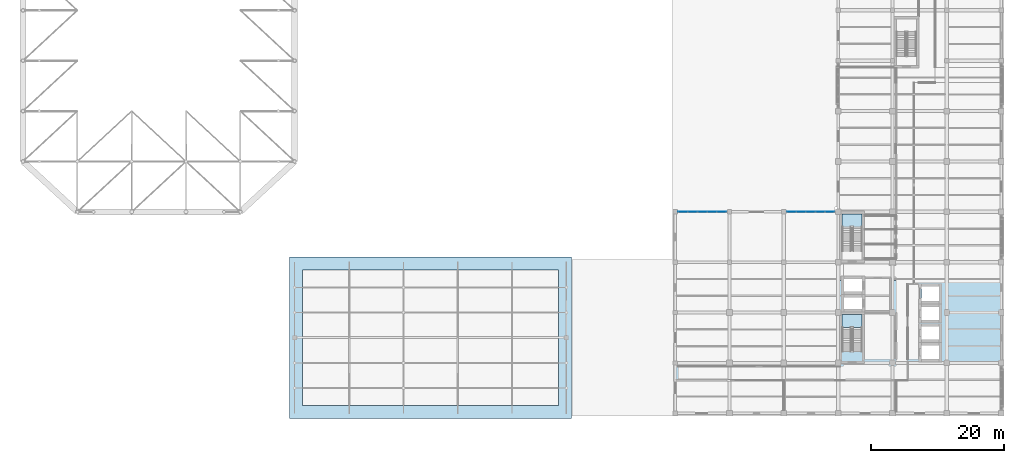
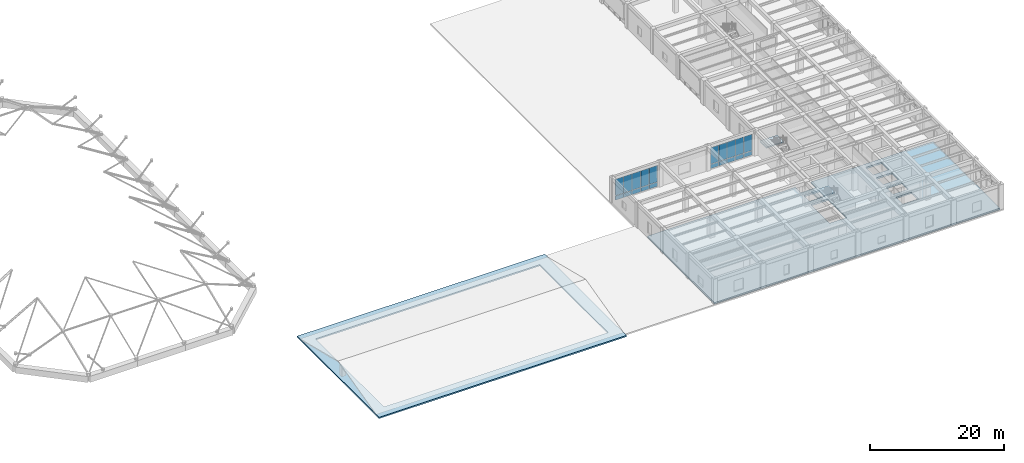
# One storey, part 11 of 23: 20 plates, 4 slabs, 4 elements without a shape of their own.
"""IFC4 building model written with IfcOpenShell, lengths in metres."""

from ifc_helpers import new_model, si_unit, direction, frame, origin, origin_2d, place, context, subcontext, project, spatial, polyline, rectangle, outline, extrude, material, layer, layer_set, type_object, element, aggregate, save


model = new_model("IFC4")

# Units and contexts
model_context = context("Model", 3, precision=1e-05, world=origin(), true_north=direction((0.0, 1.0)))
body_context = subcontext(model_context, "Body", "Model", "MODEL_VIEW")
ifc_project = project(units=[si_unit("LENGTHUNIT", "METRE"), si_unit("AREAUNIT", "SQUARE_METRE"), si_unit("VOLUMEUNIT", "CUBIC_METRE"), si_unit("PLANEANGLEUNIT", "RADIAN"), si_unit("MASSUNIT", "GRAM", prefix="KILO")], contexts=[model_context])

# Site, building, storey
site_placement = place(None, origin())
site = spatial("IfcSite", under=ifc_project, at=site_placement, CompositionType="ELEMENT")
building_placement = place(site_placement, origin())
building = spatial("IfcBuilding", under=site, at=building_placement, Name="Qandaris Square Conservatory and Botanical Centre", CompositionType="ELEMENT")
storey_placement = place(building_placement, frame((0.0, 0.0, 15.0)))
storey = spatial("IfcBuildingStorey", under=building, at=storey_placement, Name="L03", CompositionType="ELEMENT", Elevation=15.0)

# Curtain wall, plates
ifc_material_1 = material(Name="Anodised Aluminium", Category="aluminium")
curtain_wall_type_1 = type_object("IfcCurtainWallType", Name="Unitised Curtain Wall CW-4-725x394", PredefinedType="USERDEFINED", material=ifc_material_1)
curtain_wall_1_placement = place(storey_placement, origin())
curtain_wall_1 = element("IfcCurtainWall", 1, at=curtain_wall_1_placement, inside=storey, type_object=curtain_wall_type_1, Name="Curtain Wall CW-TWR-L03-5-1", ObjectType="GLAZED CURTAIN WALL", PredefinedType="USERDEFINED")
ifc_material_2 = material(Name="Tempered Low-E Glass", Category="glass")
ifc_layer_1 = layer(ifc_material_2, 0.035888671875)
ifc_layer_set_1 = layer_set([ifc_layer_1], Name="Tempered Low-E Glass")
plate_type = type_object("IfcPlateType", Name="Double-Glazed Solar Control Vision Unit 36mm", PredefinedType="CURTAIN_PANEL", material=ifc_layer_set_1)
plate_1_placement = place(storey_placement, frame((137.933837890625, 47.0, 0.06494140625), z_axis=(0.0, 0.0, 1.0), x_axis=(-1.0, 0.0, 0.0)))
plate_1 = element("IfcPlate", 2, at=plate_1_placement, type_object=plate_type, Name="CW-4-725x394 panel 1.1", PredefinedType="CURTAIN_PANEL", context=body_context, shape_type="SweptSolid", body=[
    extrude(rectangle(XDim=1.3525390625, YDim=0.035888671875, at=origin_2d()), origin(), (0.0, 0.0, 1.0), 0.75244140625),
])
plate_2_placement = place(storey_placement, frame((137.933837890625, 47.0, 0.882568359375), z_axis=(0.0, 0.0, 1.0), x_axis=(-1.0, 0.0, 0.0)))
plate_2 = element("IfcPlate", 3, at=plate_2_placement, type_object=plate_type, Name="CW-4-725x394 panel 1.2", PredefinedType="CURTAIN_PANEL", context=body_context, shape_type="SweptSolid", body=[
    extrude(rectangle(XDim=1.3525390625, YDim=0.035888671875, at=origin_2d()), origin(), (0.0, 0.0, 1.0), 2.99755859375),
])
plate_3_placement = place(storey_placement, frame((136.5, 47.0, 0.06494140625), z_axis=(0.0, 0.0, 1.0), x_axis=(-1.0, 0.0, 0.0)))
plate_3 = element("IfcPlate", 4, at=plate_3_placement, type_object=plate_type, Name="CW-4-725x394 panel 2.1", PredefinedType="CURTAIN_PANEL", context=body_context, shape_type="SweptSolid", body=[
    extrude(rectangle(XDim=1.385009765625, YDim=0.035888671875, at=origin_2d()), origin(), (0.0, 0.0, 1.0), 0.75244140625),
])
plate_4_placement = place(storey_placement, frame((136.5, 47.0, 0.882568359375), z_axis=(0.0, 0.0, 1.0), x_axis=(-1.0, 0.0, 0.0)))
plate_4 = element("IfcPlate", 5, at=plate_4_placement, type_object=plate_type, Name="CW-4-725x394 panel 2.2", PredefinedType="CURTAIN_PANEL", context=body_context, shape_type="SweptSolid", body=[
    extrude(rectangle(XDim=1.385009765625, YDim=0.035888671875, at=origin_2d()), origin(), (0.0, 0.0, 1.0), 2.99755859375),
])
plate_5_placement = place(storey_placement, frame((135.050048828125, 47.0, 0.06494140625), z_axis=(0.0, 0.0, 1.0), x_axis=(-1.0, 0.0, 0.0)))
plate_5 = element("IfcPlate", 6, at=plate_5_placement, type_object=plate_type, Name="CW-4-725x394 panel 3.1", PredefinedType="CURTAIN_PANEL", context=body_context, shape_type="SweptSolid", body=[
    extrude(rectangle(XDim=1.385009765625, YDim=0.035888671875, at=origin_2d()), origin(), (0.0, 0.0, 1.0), 0.75244140625),
])
plate_6_placement = place(storey_placement, frame((135.050048828125, 47.0, 0.882568359375), z_axis=(0.0, 0.0, 1.0), x_axis=(-1.0, 0.0, 0.0)))
plate_6 = element("IfcPlate", 7, at=plate_6_placement, type_object=plate_type, Name="CW-4-725x394 panel 3.2", PredefinedType="CURTAIN_PANEL", context=body_context, shape_type="SweptSolid", body=[
    extrude(rectangle(XDim=1.385009765625, YDim=0.035888671875, at=origin_2d()), origin(), (0.0, 0.0, 1.0), 2.99755859375),
])
plate_7_placement = place(storey_placement, frame((133.60009765625, 47.0, 0.06494140625), z_axis=(0.0, 0.0, 1.0), x_axis=(-1.0, 0.0, 0.0)))
plate_7 = element("IfcPlate", 8, at=plate_7_placement, type_object=plate_type, Name="CW-4-725x394 panel 4.1", PredefinedType="CURTAIN_PANEL", context=body_context, shape_type="SweptSolid", body=[
    extrude(rectangle(XDim=1.385009765625, YDim=0.035888671875, at=origin_2d()), origin(), (0.0, 0.0, 1.0), 0.75244140625),
])
plate_8_placement = place(storey_placement, frame((133.60009765625, 47.0, 0.882568359375), z_axis=(0.0, 0.0, 1.0), x_axis=(-1.0, 0.0, 0.0)))
plate_8 = element("IfcPlate", 9, at=plate_8_placement, type_object=plate_type, Name="CW-4-725x394 panel 4.2", PredefinedType="CURTAIN_PANEL", context=body_context, shape_type="SweptSolid", body=[
    extrude(rectangle(XDim=1.385009765625, YDim=0.035888671875, at=origin_2d()), origin(), (0.0, 0.0, 1.0), 2.99755859375),
])
plate_9_placement = place(storey_placement, frame((132.166259765625, 47.0, 0.06494140625), z_axis=(0.0, 0.0, 1.0), x_axis=(-1.0, 0.0, 0.0)))
plate_9 = element("IfcPlate", 10, at=plate_9_placement, type_object=plate_type, Name="CW-4-725x394 panel 5.1", PredefinedType="CURTAIN_PANEL", context=body_context, shape_type="SweptSolid", body=[
    extrude(rectangle(XDim=1.3525390625, YDim=0.035888671875, at=origin_2d()), origin(), (0.0, 0.0, 1.0), 0.75244140625),
])
plate_10_placement = place(storey_placement, frame((132.166259765625, 47.0, 0.882568359375), z_axis=(0.0, 0.0, 1.0), x_axis=(-1.0, 0.0, 0.0)))
plate_10 = element("IfcPlate", 11, at=plate_10_placement, type_object=plate_type, Name="CW-4-725x394 panel 5.2", PredefinedType="CURTAIN_PANEL", context=body_context, shape_type="SweptSolid", body=[
    extrude(rectangle(XDim=1.3525390625, YDim=0.035888671875, at=origin_2d()), origin(), (0.0, 0.0, 1.0), 2.99755859375),
])
aggregate(curtain_wall_1, [plate_1, plate_2, plate_3, plate_4, plate_5, plate_6, plate_7, plate_8, plate_9, plate_10])

curtain_wall_type_2 = type_object("IfcCurtainWallType", Name="Unitised Curtain Wall CW-4-735x394", PredefinedType="USERDEFINED", material=ifc_material_1)
curtain_wall_2_placement = place(storey_placement, origin())
curtain_wall_2 = element("IfcCurtainWall", 12, at=curtain_wall_2_placement, inside=storey, type_object=curtain_wall_type_2, Name="Curtain Wall CW-TWR-L03-5-3", ObjectType="GLAZED CURTAIN WALL", PredefinedType="USERDEFINED")
plate_11_placement = place(storey_placement, frame((121.623779296875, 47.0, 0.06494140625), z_axis=(0.0, 0.0, 1.0), x_axis=(-1.0, 0.0, 0.0)))
plate_11 = element("IfcPlate", 13, at=plate_11_placement, type_object=plate_type, Name="CW-4-735x394 panel 1.1", PredefinedType="CURTAIN_PANEL", context=body_context, shape_type="SweptSolid", body=[
    extrude(rectangle(XDim=1.37255859375, YDim=0.035888671875, at=origin_2d()), origin(), (0.0, 0.0, 1.0), 0.75244140625),
])
plate_12_placement = place(storey_placement, frame((121.623779296875, 47.0, 0.882568359375), z_axis=(0.0, 0.0, 1.0), x_axis=(-1.0, 0.0, 0.0)))
plate_12 = element("IfcPlate", 14, at=plate_12_placement, type_object=plate_type, Name="CW-4-735x394 panel 1.2", PredefinedType="CURTAIN_PANEL", context=body_context, shape_type="SweptSolid", body=[
    extrude(rectangle(XDim=1.37255859375, YDim=0.035888671875, at=origin_2d()), origin(), (0.0, 0.0, 1.0), 2.99755859375),
])
plate_13_placement = place(storey_placement, frame((120.169921875, 47.0, 0.06494140625), z_axis=(0.0, 0.0, 1.0), x_axis=(-1.0, 0.0, 0.0)))
plate_13 = element("IfcPlate", 15, at=plate_13_placement, type_object=plate_type, Name="CW-4-735x394 panel 2.1", PredefinedType="CURTAIN_PANEL", context=body_context, shape_type="SweptSolid", body=[
    extrude(rectangle(XDim=1.405029296875, YDim=0.035888671875, at=origin_2d()), origin(), (0.0, 0.0, 1.0), 0.75244140625),
])
plate_14_placement = place(storey_placement, frame((120.169921875, 47.0, 0.882568359375), z_axis=(0.0, 0.0, 1.0), x_axis=(-1.0, 0.0, 0.0)))
plate_14 = element("IfcPlate", 16, at=plate_14_placement, type_object=plate_type, Name="CW-4-735x394 panel 2.2", PredefinedType="CURTAIN_PANEL", context=body_context, shape_type="SweptSolid", body=[
    extrude(rectangle(XDim=1.405029296875, YDim=0.035888671875, at=origin_2d()), origin(), (0.0, 0.0, 1.0), 2.99755859375),
])
plate_15_placement = place(storey_placement, frame((118.699951171875, 47.0, 0.06494140625), z_axis=(0.0, 0.0, 1.0), x_axis=(-1.0, 0.0, 0.0)))
plate_15 = element("IfcPlate", 17, at=plate_15_placement, type_object=plate_type, Name="CW-4-735x394 panel 3.1", PredefinedType="CURTAIN_PANEL", context=body_context, shape_type="SweptSolid", body=[
    extrude(rectangle(XDim=1.405029296875, YDim=0.035888671875, at=origin_2d()), origin(), (0.0, 0.0, 1.0), 0.75244140625),
])
plate_16_placement = place(storey_placement, frame((118.699951171875, 47.0, 0.882568359375), z_axis=(0.0, 0.0, 1.0), x_axis=(-1.0, 0.0, 0.0)))
plate_16 = element("IfcPlate", 18, at=plate_16_placement, type_object=plate_type, Name="CW-4-735x394 panel 3.2", PredefinedType="CURTAIN_PANEL", context=body_context, shape_type="SweptSolid", body=[
    extrude(rectangle(XDim=1.405029296875, YDim=0.035888671875, at=origin_2d()), origin(), (0.0, 0.0, 1.0), 2.99755859375),
])
plate_17_placement = place(storey_placement, frame((117.22998046875, 47.0, 0.06494140625), z_axis=(0.0, 0.0, 1.0), x_axis=(-1.0, 0.0, 0.0)))
plate_17 = element("IfcPlate", 19, at=plate_17_placement, type_object=plate_type, Name="CW-4-735x394 panel 4.1", PredefinedType="CURTAIN_PANEL", context=body_context, shape_type="SweptSolid", body=[
    extrude(rectangle(XDim=1.405029296875, YDim=0.035888671875, at=origin_2d()), origin(), (0.0, 0.0, 1.0), 0.75244140625),
])
plate_18_placement = place(storey_placement, frame((117.22998046875, 47.0, 0.882568359375), z_axis=(0.0, 0.0, 1.0), x_axis=(-1.0, 0.0, 0.0)))
plate_18 = element("IfcPlate", 20, at=plate_18_placement, type_object=plate_type, Name="CW-4-735x394 panel 4.2", PredefinedType="CURTAIN_PANEL", context=body_context, shape_type="SweptSolid", body=[
    extrude(rectangle(XDim=1.405029296875, YDim=0.035888671875, at=origin_2d()), origin(), (0.0, 0.0, 1.0), 2.99755859375),
])
plate_19_placement = place(storey_placement, frame((115.7763671875, 47.0, 0.06494140625), z_axis=(0.0, 0.0, 1.0), x_axis=(-1.0, 0.0, 0.0)))
plate_19 = element("IfcPlate", 21, at=plate_19_placement, type_object=plate_type, Name="CW-4-735x394 panel 5.1", PredefinedType="CURTAIN_PANEL", context=body_context, shape_type="SweptSolid", body=[
    extrude(rectangle(XDim=1.37255859375, YDim=0.035888671875, at=origin_2d()), origin(), (0.0, 0.0, 1.0), 0.75244140625),
])
plate_20_placement = place(storey_placement, frame((115.7763671875, 47.0, 0.882568359375), z_axis=(0.0, 0.0, 1.0), x_axis=(-1.0, 0.0, 0.0)))
plate_20 = element("IfcPlate", 22, at=plate_20_placement, type_object=plate_type, Name="CW-4-735x394 panel 5.2", PredefinedType="CURTAIN_PANEL", context=body_context, shape_type="SweptSolid", body=[
    extrude(rectangle(XDim=1.37255859375, YDim=0.035888671875, at=origin_2d()), origin(), (0.0, 0.0, 1.0), 2.99755859375),
])
aggregate(curtain_wall_2, [plate_11, plate_12, plate_13, plate_14, plate_15, plate_16, plate_17, plate_18, plate_19, plate_20])

# Slab
ifc_material_3 = material(Name="Concrete C40/50", Category="concrete")
ifc_layer_2 = layer(ifc_material_3, 0.2548828125)
ifc_layer_set_2 = layer_set([ifc_layer_2], Name="Concrete C40/50")
slab_type_1 = type_object("IfcSlabType", Name="RC Flat Roof Slab 255mm", PredefinedType="ROOF", material=ifc_layer_set_2)
slab_1_placement = place(storey_placement, frame((0.0, 0.0, -0.2548828125)))
element("IfcSlab", 23, at=slab_1_placement, inside=storey, type_object=slab_type_1, Name="Auditorium Perimeter Roof Gutter Slab L03", PredefinedType="ROOF", context=body_context, shape_type="SweptSolid", body=[
    extrude(outline(polyline([(56.39990234375, 15.800048828125), (56.39990234375, 40.199951171875), (99.0, 40.199951171875), (99.0, 15.800048828125), (56.39990234375, 15.800048828125)]), holes=[polyline([(97.0, 38.199951171875), (58.39990234375, 38.199951171875), (58.39990234375, 17.800048828125), (97.0, 17.800048828125), (97.0, 38.199951171875)])]), origin(), (0.0, 0.0, 1.0), 0.2548828125),
])

# Stair, slab
stair_type = type_object("IfcStairType", Name="Core Escape Scissor Stair", PredefinedType="HALF_TURN_STAIR", material=ifc_material_3)
stair_1_placement = place(storey_placement, origin())
stair_1 = element("IfcStair", 24, at=stair_1_placement, inside=storey, type_object=stair_type, Name="L03 Tower South Exit Stair ST-1", PredefinedType="HALF_TURN_STAIR")
ifc_layer_3 = layer(ifc_material_3, 0.219970703125)
ifc_layer_set_3 = layer_set([ifc_layer_3], Name="Concrete C40/50")
slab_type_2 = type_object("IfcSlabType", Name="RC Stair Half-Landing Slab 220mm", PredefinedType="LANDING", material=ifc_layer_set_3)
slab_2_placement = place(storey_placement, frame((0.0, 0.0, 2.199951171875)))
slab_2 = element("IfcSlab", 25, at=slab_2_placement, type_object=slab_type_2, Name="ST-1 landing 1", PredefinedType="LANDING", context=body_context, shape_type="SweptSolid", body=[
    extrude(outline(polyline([(142.800048828125, 29.5400390625), (142.800048828125, 31.5), (139.800048828125, 31.5), (139.800048828125, 29.5400390625), (142.800048828125, 29.5400390625)])), origin(), (0.0, 0.0, 1.0), 0.199951171875),
])
aggregate(stair_1, [slab_2])

stair_2_placement = place(storey_placement, origin())
stair_2 = element("IfcStair", 26, at=stair_2_placement, inside=storey, type_object=stair_type, Name="L03 Tower North Exit Stair ST-2", PredefinedType="HALF_TURN_STAIR")
slab_3_placement = place(storey_placement, frame((0.0, 0.0, 2.199951171875)))
slab_3 = element("IfcSlab", 27, at=slab_3_placement, type_object=slab_type_2, Name="ST-2 landing 1", PredefinedType="LANDING", context=body_context, shape_type="SweptSolid", body=[
    extrude(outline(polyline([(142.800048828125, 44.739990234375), (142.800048828125, 46.699951171875), (139.800048828125, 46.699951171875), (139.800048828125, 44.739990234375), (142.800048828125, 44.739990234375)])), origin(), (0.0, 0.0, 1.0), 0.199951171875),
])
aggregate(stair_2, [slab_3])

# Slab
ifc_layer_4 = layer(ifc_material_3, 0.2900390625)
ifc_layer_set_4 = layer_set([ifc_layer_4], Name="Concrete C40/50")
slab_type_3 = type_object("IfcSlabType", Name="RC Structural Slab 290mm", PredefinedType="FLOOR", material=ifc_layer_set_4)
slab_4_placement = place(storey_placement, frame((0.0, 0.0, -0.2900390625)))
element("IfcSlab", 28, at=slab_4_placement, inside=storey, type_object=slab_type_3, Name="L03 Structural Slab V4L03", PredefinedType="FLOOR", context=body_context, shape_type="SweptSolid", body=[
    extrude(outline(polyline([(163.800048828125, 16.60009765625), (114.60009765625, 16.60009765625), (114.60009765625, 36.60009765625), (140.06005859375, 36.60009765625), (140.06005859375, 34.9599609375), (142.800048828125, 34.9599609375), (142.800048828125, 36.60009765625), (163.800048828125, 36.60009765625), (163.800048828125, 16.60009765625)]), holes=[polyline([(151.75, 24.800048828125), (154.449951171875, 24.800048828125), (154.449951171875, 26.800048828125), (151.75, 26.800048828125), (151.75, 24.800048828125)]), polyline([(139.800048828125, 25.89990234375), (142.800048828125, 25.89990234375), (142.800048828125, 31.5), (139.800048828125, 31.5), (139.800048828125, 25.89990234375)]), polyline([(151.75, 27.719970703125), (154.449951171875, 27.719970703125), (154.449951171875, 29.719970703125), (151.75, 29.719970703125), (151.75, 27.719970703125)]), polyline([(151.75, 30.639892578125), (154.449951171875, 30.639892578125), (154.449951171875, 32.639892578125), (151.75, 32.639892578125), (151.75, 30.639892578125)]), polyline([(140.06005859375, 32.360107421875), (142.800048828125, 32.360107421875), (142.800048828125, 34.0400390625), (140.06005859375, 34.0400390625), (140.06005859375, 32.360107421875)]), polyline([(151.75, 33.56005859375), (154.449951171875, 33.56005859375), (154.449951171875, 35.760009765625), (151.75, 35.760009765625), (151.75, 33.56005859375)])]), origin(), (0.0, 0.0, 1.0), 0.2900390625),
])

save(model, "model.ifc")
